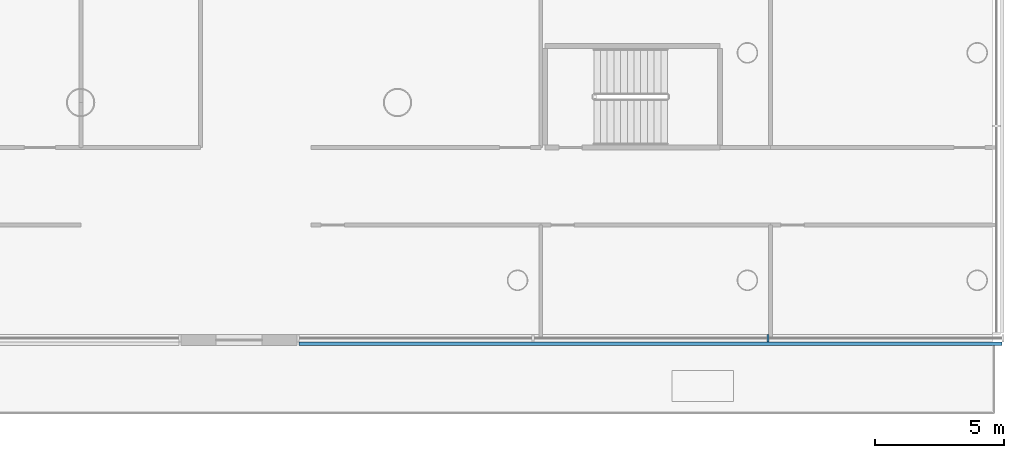
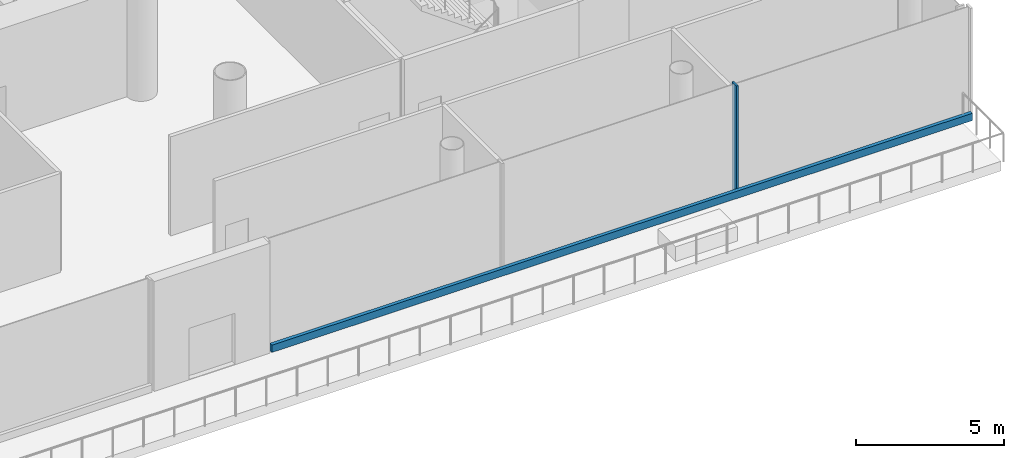
# One storey, part 9 of 49: 2 members, 1 element without a shape of its own.
"""IFC4 building model written with IfcOpenShell, lengths in metres."""

from ifc_helpers import new_model, si_unit, direction, frame, origin, origin_2d, place, context, subcontext, project, spatial, rectangle, extrude, material, layer, layer_set, material_profile, profile_set, type_object, element, aggregate, save


model = new_model("IFC4")

# Units and contexts
model_context = context("Model", 3, precision=1e-05, world=origin(), true_north=direction((0.0, 1.0)))
body_context = subcontext(model_context, "Body", "Model", "MODEL_VIEW")
ifc_project = project(units=[si_unit("LENGTHUNIT", "METRE"), si_unit("AREAUNIT", "SQUARE_METRE"), si_unit("VOLUMEUNIT", "CUBIC_METRE"), si_unit("PLANEANGLEUNIT", "RADIAN"), si_unit("MASSUNIT", "GRAM", prefix="KILO")], contexts=[model_context])

# Site, building, storey
site_placement = place(None, origin())
site = spatial("IfcSite", under=ifc_project, at=site_placement, CompositionType="ELEMENT")
building_placement = place(site_placement, origin())
building = spatial("IfcBuilding", under=site, at=building_placement, Name="Ipe Terrace Towers", CompositionType="ELEMENT")
storey_placement = place(building_placement, frame((0.0, 0.0, 20.0)))
storey = spatial("IfcBuildingStorey", under=building, at=storey_placement, Name="L04", CompositionType="ELEMENT", Elevation=20.0)

# Curtain wall, members
ifc_material_1 = material(Name="Aluminium alloy 6063-T6", Category="aluminium")
ifc_layer = layer(ifc_material_1, 0.43994140625)
ifc_layer_set = layer_set([ifc_layer], Name="PODIUM GLAZING CURTAIN WALL")
curtain_wall_type = type_object("IfcCurtainWallType", Name="PODIUM GLAZING CURTAIN WALL", PredefinedType="NOTDEFINED", material=ifc_layer_set)
curtain_wall_placement = place(storey_placement, origin())
curtain_wall = element("IfcCurtainWall", 1, at=curtain_wall_placement, inside=storey, type_object=curtain_wall_type, Name="POD-CW-L04-03f curtain wall", PredefinedType="NOTDEFINED")
ifc_material_2 = material(Name="Aluminium alloy 6063-T6", Category="aluminium")
ifc_material_profile_1 = material_profile(ifc_material_2, rectangle(XDim=0.300048828125, YDim=0.080078125, at=origin_2d()), Name="PODIUM GLAZING MULLION 300 x 80")
ifc_profile_set_1 = profile_set([ifc_material_profile_1], Name="Aluminium alloy 6063-T6")
member_type_1 = type_object("IfcMemberType", Name="PODIUM GLAZING MULLION 300 x 80", PredefinedType="MULLION", material=ifc_profile_set_1)
member_1_placement = place(storey_placement, frame((56.530029296875, -30.89990234375, -0.02001953125), z_axis=(0.0, 0.0, 1.0), x_axis=(0.0, -1.0, 0.0)))
member_1 = element("IfcMember", 2, at=member_1_placement, type_object=member_type_1, Name="POD-CW-L04-03f mullion 3", PredefinedType="MULLION", context=body_context, shape_type="SweptSolid", body=[
    extrude(rectangle(XDim=0.300048828125, YDim=0.080078125, at=origin_2d()), origin(), (0.0, 0.0, 1.0), 4.52001953125),
])
ifc_material_3 = material(Name="Aluminium alloy 6063-T6", Category="aluminium")
ifc_material_profile_2 = material_profile(ifc_material_3, rectangle(XDim=0.139892578125, YDim=0.300048828125, at=origin_2d()), Name="PODIUM GLAZING TRANSOM 140 x 300")
ifc_profile_set_2 = profile_set([ifc_material_profile_2], Name="Aluminium alloy 6063-T6")
member_type_2 = type_object("IfcMemberType", Name="PODIUM GLAZING TRANSOM 140 x 300", PredefinedType="USERDEFINED", material=ifc_profile_set_2)
member_2_placement = place(storey_placement, frame((38.330078125, -31.1201171875, 0.1298828125), z_axis=(1.0, 0.0, 0.0), x_axis=(0.0, -1.0, 0.0)))
member_2 = element("IfcMember", 3, at=member_2_placement, type_object=member_type_2, Name="POD-CW-L04-03f transom", ObjectType="TRANSOM", PredefinedType="USERDEFINED", context=body_context, shape_type="SweptSolid", body=[
    extrude(rectangle(XDim=0.139892578125, YDim=0.300048828125, at=origin_2d()), origin(), (0.0, 0.0, 1.0), 27.280029296875),
])
aggregate(curtain_wall, [member_1, member_2])

save(model, "model.ifc")
